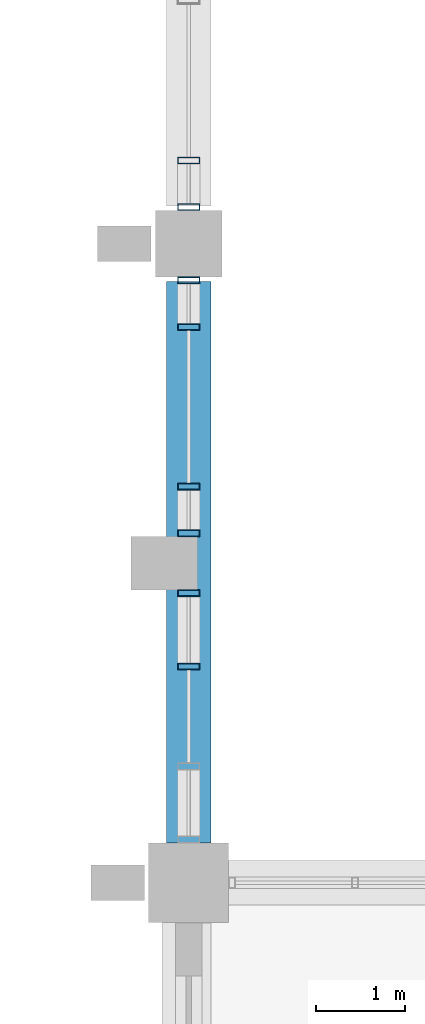
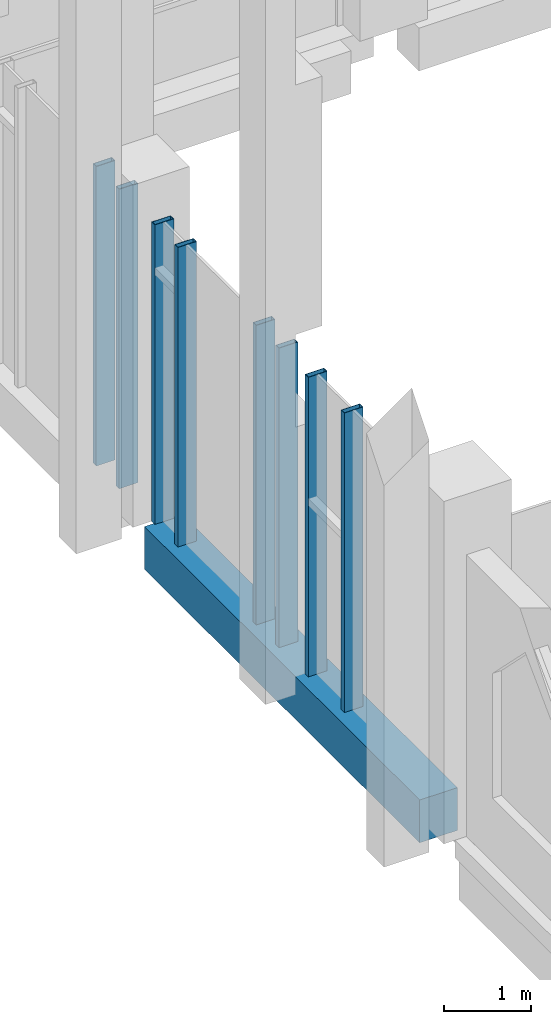
# One storey, part 4 of 40: 8 members, 1 beam, 3 elements without a shape of their own.
"""IFC4 building model written with IfcOpenShell, lengths in metres."""

import ifcopenshell
import ifcopenshell.guid

model = None  # the IFC model being written
_history = None  # IfcOwnerHistory: only IFC2X3 demands one
_inside = {}  # id of a spatial element -> (the spatial element, [elements in it])
_under = {}  # id of a project, library or spatial element -> (it, [spatial elements below it])
_declared = {}  # id of a project -> (the project, [libraries it declares])
_typed = {}  # id of a type object -> (the type object, [elements of that type])
_made_of = {}  # id of a material, layer set ... -> (it, [elements and type objects made of it])


def new_model(schema):
    """Start an empty IFC model of exactly this schema.

    Asked for "IFC4X3", IfcOpenShell would pick the latest addendum, in which some entities
    have other attributes; the version numbers below select the first issue.
    IFC2X3 requires an IfcOwnerHistory on every rooted entity: one is made here for all.
    """
    global model, _history
    if schema == "IFC4X3":
        model = ifcopenshell.file(schema_version=(4, 3, 0, 0))
    else:
        model = ifcopenshell.file(schema=schema)
    _inside.clear()
    _under.clear()
    _declared.clear()
    _typed.clear()
    _made_of.clear()
    _history = None
    if model.schema == "IFC2X3":
        org = make("IfcOrganization", Name="unknown")
        user = make(
            "IfcPersonAndOrganization",
            ThePerson=make("IfcPerson", FamilyName="unknown"),
            TheOrganization=org,
        )
        app = make(
            "IfcApplication",
            ApplicationDeveloper=org,
            Version="unknown",
            ApplicationFullName="unknown",
            ApplicationIdentifier="unknown",
        )
        _history = make(
            "IfcOwnerHistory",
            OwningUser=user,
            OwningApplication=app,
            ChangeAction="ADDED",
            CreationDate=0,
        )
    return model


def make(cls, **values):
    """One entity of the class cls with the attributes given. An attribute that is None is left unset."""
    return model.create_entity(
        cls, **{name: value for name, value in values.items() if value is not None}
    )


def rooted(cls, **values):
    """An entity with a GlobalId (a new one), such as an element, a storey or a relation."""
    return make(cls, GlobalId=ifcopenshell.guid.new(), OwnerHistory=_history, **values)


def si_unit(unit_type, name, prefix=None):
    """IfcSIUnit, for example si_unit("LENGTHUNIT", "METRE", prefix="MILLI")."""
    return make("IfcSIUnit", UnitType=unit_type, Prefix=prefix, Name=name)


def assignment(units):
    """IfcUnitAssignment: the units of a project."""
    return None if units is None else make("IfcUnitAssignment", Units=units)


def point(xyz):
    """IfcCartesianPoint."""
    return None if xyz is None else make("IfcCartesianPoint", Coordinates=xyz)


def direction(xyz):
    """IfcDirection."""
    return None if xyz is None else make("IfcDirection", DirectionRatios=xyz)


def frame(location, z_axis=None, x_axis=None):
    """IfcAxis2Placement3D, a coordinate frame: its origin and axes. An axis left out is left unset."""
    return make(
        "IfcAxis2Placement3D",
        Location=point(location),
        Axis=direction(z_axis),
        RefDirection=direction(x_axis),
    )


def frame_2d(location, x_axis=None):
    """IfcAxis2Placement2D, a coordinate frame in the plane: its origin and x axis."""
    return make(
        "IfcAxis2Placement2D", Location=point(location), RefDirection=direction(x_axis)
    )


def origin():
    """The frame at (0, 0, 0) with its axes left unset."""
    return frame((0.0, 0.0, 0.0))


def origin_2d():
    """The frame at (0, 0) in the plane with its x axis left unset."""
    return frame_2d((0.0, 0.0))


def place(relative_to, where):
    """IfcLocalPlacement: puts the frame where relative to a parent placement (None: the world)."""
    return make(
        "IfcLocalPlacement", PlacementRelTo=relative_to, RelativePlacement=where
    )


def context(
    kind, dimensions, precision=None, world=None, true_north=None, identifier=None
):
    """IfcGeometricRepresentationContext, for example the 3D "Model" context."""
    return make(
        "IfcGeometricRepresentationContext",
        ContextIdentifier=identifier,
        ContextType=kind,
        CoordinateSpaceDimension=dimensions,
        Precision=precision,
        WorldCoordinateSystem=world,
        TrueNorth=true_north,
    )


def subcontext(parent, identifier, kind, view, scale=None):
    """IfcGeometricRepresentationSubContext, for example "Body" below "Model"."""
    return make(
        "IfcGeometricRepresentationSubContext",
        ContextIdentifier=identifier,
        ContextType=kind,
        ParentContext=parent,
        TargetScale=scale,
        TargetView=view,
    )


def project(units=None, contexts=None):
    """IfcProject with its units and contexts."""
    return rooted(
        "IfcProject",
        Name="project",
        RepresentationContexts=contexts,
        UnitsInContext=assignment(units),
    )


def spatial(cls, under=None, at=None, **own):
    """A site, building, storey or space (cls), placed at a placement, below another one or the project."""
    s = rooted(cls, ObjectPlacement=at, **own)
    if under is not None:
        _under.setdefault(under.id(), (under, []))[1].append(s)
    return s


def profile(cls, at=None, kind="AREA", **sizes):
    """A parametric profile (cls). Its sizes go by their IFC names, for example OverallWidth=200.0."""
    return make(cls, ProfileType=kind, Position=at, **sizes)


def rectangle(**sizes):
    """IfcRectangleProfileDef."""
    return profile("IfcRectangleProfileDef", **sizes)


def hollow_rectangle(**sizes):
    """IfcRectangleHollowProfileDef."""
    return profile("IfcRectangleHollowProfileDef", **sizes)


def extrude(swept, where, along, depth):
    """IfcExtrudedAreaSolid: the profile swept, set in the frame where, extruded along a direction by depth."""
    return make(
        "IfcExtrudedAreaSolid",
        SweptArea=swept,
        Position=where,
        ExtrudedDirection=direction(along),
        Depth=depth,
    )


def shape(context_of_items, identifier, shape_type, items):
    """IfcShapeRepresentation: the items that make up one representation, for example the "Body"."""
    return make(
        "IfcShapeRepresentation",
        ContextOfItems=context_of_items,
        RepresentationIdentifier=identifier,
        RepresentationType=shape_type,
        Items=items,
    )


def material(Name=None, Category=None):
    """IfcMaterial."""
    return make("IfcMaterial", Name=Name, Category=Category)


def material_profile(
    of_material, cross_section, Name=None, Category=None, Priority=None
):
    """IfcMaterialProfile: a cross section and its material."""
    return make(
        "IfcMaterialProfile",
        Name=Name,
        Material=of_material,
        Profile=cross_section,
        Priority=Priority,
        Category=Category,
    )


def profile_set(profiles, Name=None, composite=None):
    """IfcMaterialProfileSet."""
    return make(
        "IfcMaterialProfileSet",
        Name=Name,
        MaterialProfiles=profiles,
        CompositeProfile=composite,
    )


def made_of(thing, what):
    """Note that an element or type object is made of a material, layer set ...; save() writes the relation."""
    if what is not None:
        _made_of.setdefault(what.id(), (what, []))[1].append(thing)
    return thing


def type_object(cls, material=None, **own):
    """A type object (cls), such as IfcWallType, which elements share."""
    return made_of(rooted(cls, **own), material)


def element(
    cls,
    number,
    at=None,
    inside=None,
    cuts=None,
    type_object=None,
    material=None,
    context=None,
    identifier="Body",
    shape_type=None,
    held_by="IfcProductDefinitionShape",
    body=None,
    shapes=None,
    **own,
):
    """One element of the class cls, such as IfcWall. Its Tag is "e" and its number.

    at: its placement. inside: the storey or other place that contains it. cuts: it is an
    opening in that element (IfcRelVoidsElement). A single representation is given by context,
    identifier, shape_type and body (its items); several are given by shapes. held_by: the class
    of the entity that holds the representations. save() writes the other relations.
    """
    e = rooted(cls, Tag="e%d" % number, ObjectPlacement=at, **own)
    if body is not None:
        shapes = [shape(context, identifier, shape_type, body)]
    if shapes is not None:
        e.Representation = make(held_by, Representations=shapes)
    if inside is not None:
        _inside.setdefault(inside.id(), (inside, []))[1].append(e)
    if cuts is not None:
        rooted(
            "IfcRelVoidsElement", RelatingBuildingElement=cuts, RelatedOpeningElement=e
        )
    if type_object is not None:
        _typed.setdefault(type_object.id(), (type_object, []))[1].append(e)
    return made_of(e, material)


def aggregate(whole, parts):
    """IfcRelAggregates: a whole, such as a stair, and the parts it consists of."""
    return rooted("IfcRelAggregates", RelatingObject=whole, RelatedObjects=parts)


def save(model, path):
    """Write the relations noted so far, then the file.

    IfcRelAggregates (storeys below a building ...), IfcRelContainedInSpatialStructure (elements
    in a storey), IfcRelDefinesByType, IfcRelAssociatesMaterial and IfcRelDeclares: one each for
    every whole, place, type object, material and project.
    """
    for whole, parts in _under.values():
        aggregate(whole, parts)
    for where, things in _inside.values():
        rooted(
            "IfcRelContainedInSpatialStructure",
            RelatedElements=things,
            RelatingStructure=where,
        )
    for kind, things in _typed.values():
        rooted("IfcRelDefinesByType", RelatedObjects=things, RelatingType=kind)
    for what, things in _made_of.values():
        rooted("IfcRelAssociatesMaterial", RelatedObjects=things, RelatingMaterial=what)
    for by, libraries in _declared.values():
        rooted("IfcRelDeclares", RelatingContext=by, RelatedDefinitions=libraries)
    model.write(path)


model = new_model("IFC4")

# Units and contexts
model_context = context("Model", 3, precision=1e-05, world=origin(), true_north=direction((0.0, 1.0)))
body_context = subcontext(model_context, "Body", "Model", "MODEL_VIEW")
ifc_project = project(units=[si_unit("LENGTHUNIT", "METRE"), si_unit("AREAUNIT", "SQUARE_METRE"), si_unit("VOLUMEUNIT", "CUBIC_METRE"), si_unit("PLANEANGLEUNIT", "RADIAN"), si_unit("MASSUNIT", "GRAM", prefix="KILO")], contexts=[model_context])

# Site, building, storey
site_placement = place(None, origin())
site = spatial("IfcSite", under=ifc_project, at=site_placement, CompositionType="ELEMENT")
building_placement = place(site_placement, origin())
building = spatial("IfcBuilding", under=site, at=building_placement, Name="Silangan Lancet Faculty of Sciences", CompositionType="ELEMENT")
storey_placement = place(building_placement, frame((0.0, 0.0, 21.60009765625)))
storey = spatial("IfcBuildingStorey", under=building, at=storey_placement, Name="L04", CompositionType="ELEMENT", Elevation=21.60009765625)

# Beam
ifc_material_1 = material(Name="Concrete C40/50", Category="concrete")
ifc_material_profile_1 = material_profile(ifc_material_1, rectangle(XDim=0.5, YDim=0.60009765625, at=origin_2d()), Name="RC 500x600")
ifc_profile_set_1 = profile_set([ifc_material_profile_1], Name="Concrete C40/50")
beam_type = type_object("IfcBeamType", Name="BEAM RC 500x600", PredefinedType="BEAM", material=ifc_profile_set_1)
beam_placement = place(storey_placement, frame((0.0, 22.050048828125, -0.300048828125), z_axis=(0.0, 1.0, 0.0), x_axis=(-1.0, 0.0, 0.0)))
element("IfcBeam", 1, at=beam_placement, inside=storey, type_object=beam_type, Name="BM-L04-1D-1E", PredefinedType="BEAM", context=body_context, shape_type="SweptSolid", body=[
    extrude(rectangle(XDim=0.5, YDim=0.60009765625, at=origin_2d()), origin(), (0.0, 0.0, 1.0), 6.324951171875),
])

# Curtain wall, members
ifc_material_2 = material(Name="Aluminium framed curtain wall with insulated glass", Category="aluminium")
curtain_wall_type_1 = type_object("IfcCurtainWallType", Name="CW3 West stepped lancet window", PredefinedType="NOTDEFINED", material=ifc_material_2)
curtain_wall_1_placement = place(storey_placement, origin())
curtain_wall_1 = element("IfcCurtainWall", 2, at=curtain_wall_1_placement, inside=storey, type_object=curtain_wall_type_1, Name="CW3 West window L04 bay 1", PredefinedType="NOTDEFINED")
ifc_material_3 = material(Name="Aluminium 6063-T6 extrusion", Category="aluminium")
ifc_material_profile_2 = material_profile(ifc_material_3, hollow_rectangle(XDim=0.074951171875, YDim=0.25, WallThickness=0.006103515625, at=origin_2d()), Name="AL BOX 75x250x6")
ifc_profile_set_2 = profile_set([ifc_material_profile_2], Name="Aluminium 6063-T6 extrusion")
member_type = type_object("IfcMemberType", Name="CM3 Mullion 75x250", PredefinedType="MULLION", material=ifc_profile_set_2)
member_1_placement = place(storey_placement, frame((0.0, 24.862548828125, 0.0), z_axis=(0.0, 0.0, 1.0), x_axis=(0.0, 1.0, 0.0)))
member_1 = element("IfcMember", 3, at=member_1_placement, type_object=member_type, Name="CW3 West window L04 bay 1 mullion 2", PredefinedType="MULLION", context=body_context, shape_type="SweptSolid", body=[
    extrude(hollow_rectangle(XDim=0.074951171875, YDim=0.25, WallThickness=0.006103515625, at=origin_2d()), origin(), (0.0, 0.0, 1.0), 4.199951171875),
])
member_2_placement = place(storey_placement, frame((0.0, 24.03759765625, 0.0), z_axis=(0.0, 0.0, 1.0), x_axis=(0.0, 1.0, 0.0)))
member_2 = element("IfcMember", 4, at=member_2_placement, type_object=member_type, Name="CW3 West window L04 bay 1 mullion 4", PredefinedType="MULLION", context=body_context, shape_type="SweptSolid", body=[
    extrude(hollow_rectangle(XDim=0.074951171875, YDim=0.25, WallThickness=0.006103515625, at=origin_2d()), origin(), (0.0, 0.0, 1.0), 4.199951171875),
])
aggregate(curtain_wall_1, [member_1, member_2])

ifc_material_4 = material(Name="Aluminium framed curtain wall with insulated glass", Category="aluminium")
curtain_wall_type_2 = type_object("IfcCurtainWallType", Name="CW6 West window middle bays", PredefinedType="NOTDEFINED", material=ifc_material_4)
curtain_wall_2_placement = place(storey_placement, origin())
curtain_wall_2 = element("IfcCurtainWall", 5, at=curtain_wall_2_placement, inside=storey, type_object=curtain_wall_type_2, Name="CW6 West window L04 bay 2", PredefinedType="NOTDEFINED")
member_3_placement = place(storey_placement, frame((0.0, 25.53759765625, 0.0), z_axis=(0.0, 0.0, 1.0), x_axis=(0.0, 1.0, 0.0)))
member_3 = element("IfcMember", 6, at=member_3_placement, type_object=member_type, Name="CW6 West window L04 bay 2 mullion 1", PredefinedType="MULLION", context=body_context, shape_type="SweptSolid", body=[
    extrude(hollow_rectangle(XDim=0.074951171875, YDim=0.25, WallThickness=0.006103515625, at=origin_2d()), origin(), (0.0, 0.0, 1.0), 4.199951171875),
])
member_4_placement = place(storey_placement, frame((0.0, 28.387451171875, 0.0), z_axis=(0.0, 0.0, 1.0), x_axis=(0.0, 1.0, 0.0)))
member_4 = element("IfcMember", 7, at=member_4_placement, type_object=member_type, Name="CW6 West window L04 bay 2 mullion 2", PredefinedType="MULLION", context=body_context, shape_type="SweptSolid", body=[
    extrude(hollow_rectangle(XDim=0.074951171875, YDim=0.25, WallThickness=0.006103515625, at=origin_2d()), origin(), (0.0, 0.0, 1.0), 4.199951171875),
])
member_5_placement = place(storey_placement, frame((0.0, 26.0625, 0.0), z_axis=(0.0, 0.0, 1.0), x_axis=(0.0, 1.0, 0.0)))
member_5 = element("IfcMember", 8, at=member_5_placement, type_object=member_type, Name="CW6 West window L04 bay 2 mullion 3", PredefinedType="MULLION", context=body_context, shape_type="SweptSolid", body=[
    extrude(hollow_rectangle(XDim=0.074951171875, YDim=0.25, WallThickness=0.006103515625, at=origin_2d()), origin(), (0.0, 0.0, 1.0), 4.199951171875),
])
member_6_placement = place(storey_placement, frame((0.0, 27.862548828125, 0.0), z_axis=(0.0, 0.0, 1.0), x_axis=(0.0, 1.0, 0.0)))
member_6 = element("IfcMember", 9, at=member_6_placement, type_object=member_type, Name="CW6 West window L04 bay 2 mullion 4", PredefinedType="MULLION", context=body_context, shape_type="SweptSolid", body=[
    extrude(hollow_rectangle(XDim=0.074951171875, YDim=0.25, WallThickness=0.006103515625, at=origin_2d()), origin(), (0.0, 0.0, 1.0), 4.199951171875),
])
aggregate(curtain_wall_2, [member_3, member_4, member_5, member_6])

curtain_wall_3_placement = place(storey_placement, origin())
curtain_wall_3 = element("IfcCurtainWall", 10, at=curtain_wall_3_placement, inside=storey, type_object=curtain_wall_type_2, Name="CW6 West window L04 bay 3", PredefinedType="NOTDEFINED")
member_7_placement = place(storey_placement, frame((0.0, 29.21240234375, 0.0), z_axis=(0.0, 0.0, 1.0), x_axis=(0.0, 1.0, 0.0)))
member_7 = element("IfcMember", 11, at=member_7_placement, type_object=member_type, Name="CW6 West window L04 bay 3 mullion 1", PredefinedType="MULLION", context=body_context, shape_type="SweptSolid", body=[
    extrude(hollow_rectangle(XDim=0.074951171875, YDim=0.25, WallThickness=0.006103515625, at=origin_2d()), origin(), (0.0, 0.0, 1.0), 4.199951171875),
])
member_8_placement = place(storey_placement, frame((0.0, 29.737548828125, 0.0), z_axis=(0.0, 0.0, 1.0), x_axis=(0.0, 1.0, 0.0)))
member_8 = element("IfcMember", 12, at=member_8_placement, type_object=member_type, Name="CW6 West window L04 bay 3 mullion 3", PredefinedType="MULLION", context=body_context, shape_type="SweptSolid", body=[
    extrude(hollow_rectangle(XDim=0.074951171875, YDim=0.25, WallThickness=0.006103515625, at=origin_2d()), origin(), (0.0, 0.0, 1.0), 4.199951171875),
])
aggregate(curtain_wall_3, [member_7, member_8])

save(model, "model.ifc")
